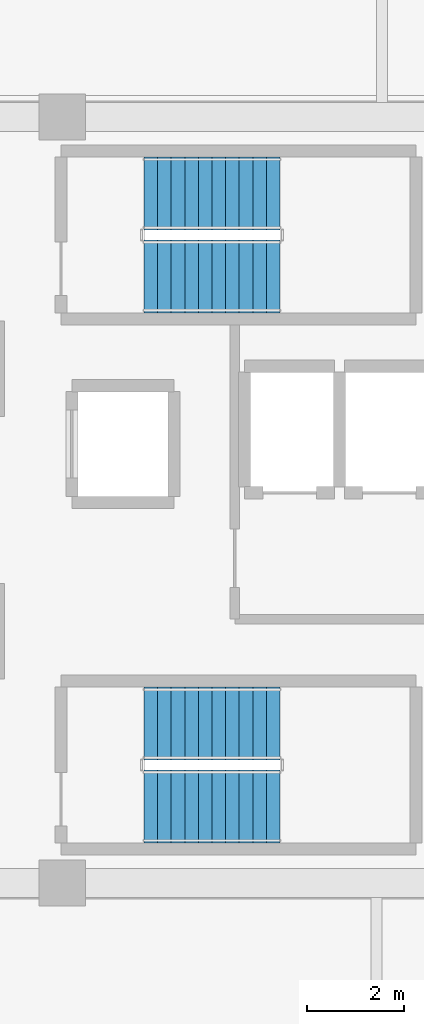
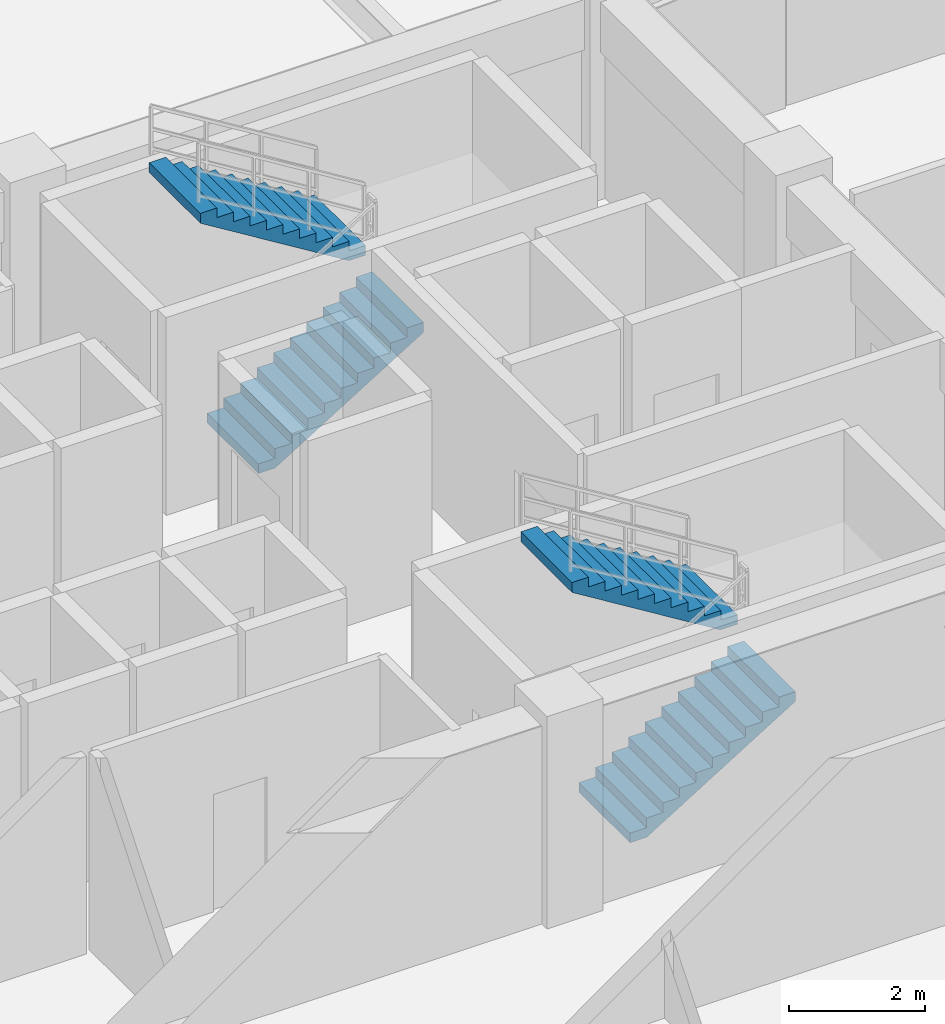
# One storey, part 6 of 9: 4 stair flights, 2 elements without a shape of their own.
"""IFC4 building model written with IfcOpenShell, lengths in metres."""

from ifc_helpers import new_model, si_unit, direction, frame, origin, place, context, subcontext, project, spatial, polyline, outline, extrude, material, type_object, element, aggregate, save


model = new_model("IFC4")

# Units and contexts
model_context = context("Model", 3, precision=1e-05, world=origin(), true_north=direction((0.0, 1.0)))
body_context = subcontext(model_context, "Body", "Model", "MODEL_VIEW")
ifc_project = project(units=[si_unit("LENGTHUNIT", "METRE"), si_unit("AREAUNIT", "SQUARE_METRE"), si_unit("VOLUMEUNIT", "CUBIC_METRE"), si_unit("PLANEANGLEUNIT", "RADIAN"), si_unit("MASSUNIT", "GRAM", prefix="KILO")], contexts=[model_context])

# Site, building, storey
site_placement = place(None, origin())
site = spatial("IfcSite", under=ifc_project, at=site_placement, CompositionType="ELEMENT")
building_placement = place(site_placement, origin())
building = spatial("IfcBuilding", under=site, at=building_placement, Name="Zulverin Broadcast Headquarters", CompositionType="ELEMENT")
storey_placement = place(building_placement, frame((0.0, 0.0, 212.39990234375)))
storey = spatial("IfcBuildingStorey", under=building, at=storey_placement, Name="L54", CompositionType="ELEMENT", Elevation=212.39990234375)

# Stair, stair flights
ifc_material = material(Name="Concrete C40/50", Category="concrete")
stair_type = type_object("IfcStairType", Name="ST-CORE-1500", PredefinedType="HALF_TURN_STAIR", material=ifc_material)
stair_1_placement = place(storey_placement, origin())
stair_1 = element("IfcStair", 1, at=stair_1_placement, inside=storey, type_object=stair_type, Name="L54 Core Exit Stair ST-1", PredefinedType="HALF_TURN_STAIR")
stair_flight_type = type_object("IfcStairFlightType", Name="SF-CORE-1500", PredefinedType="STRAIGHT", material=ifc_material)
stair_flight_1_placement = place(storey_placement, frame((40.1298828125, 29.800048828125, 0.0), z_axis=(0.0, 0.0, 1.0), x_axis=(1.0, 0.0, 0.0)))
stair_flight_1 = element("IfcStairFlight", 2, at=stair_flight_1_placement, type_object=stair_flight_type, Name="ST-1 flight 1", NumberOfRisers=11, NumberOfTreads=10, PredefinedType="STRAIGHT", RiserHeight=0.172727273, TreadLength=0.28, context=body_context, shape_type="SweptSolid", body=[
    extrude(outline(polyline([(0.0, 0.0), (0.0, 0.172607421875), (0.280029296875, 0.172607421875), (0.280029296875, 0.345458984375), (0.56005859375, 0.345458984375), (0.56005859375, 0.51806640625), (0.840087890625, 0.51806640625), (0.840087890625, 0.69091796875), (1.1201171875, 0.69091796875), (1.1201171875, 0.863525390625), (1.39990234375, 0.863525390625), (1.39990234375, 1.036376953125), (1.679931640625, 1.036376953125), (1.679931640625, 1.208984375), (1.9599609375, 1.208984375), (1.9599609375, 1.3818359375), (2.239990234375, 1.3818359375), (2.239990234375, 1.554443359375), (2.52001953125, 1.554443359375), (2.52001953125, 1.727294921875), (2.800048828125, 1.727294921875), (2.800048828125, 1.89990234375), (2.800048828125, 1.551025390625), (0.285400390625, 0.0), (0.0, 0.0)])), frame((0.0, 0.75, 0.0), z_axis=(0.0, -1.0, 0.0), x_axis=(1.0, 0.0, 0.0)), (0.0, 0.0, 1.0), 1.5),
])
stair_flight_2_placement = place(storey_placement, frame((42.929931640625, 31.5, 1.900146484375), z_axis=(0.0, 0.0, 1.0), x_axis=(-1.0, 0.0, 0.0)))
stair_flight_2 = element("IfcStairFlight", 3, at=stair_flight_2_placement, type_object=stair_flight_type, Name="ST-1 flight 2", NumberOfRisers=11, NumberOfTreads=10, PredefinedType="STRAIGHT", RiserHeight=0.172727273, TreadLength=0.28, context=body_context, shape_type="SweptSolid", body=[
    extrude(outline(polyline([(0.0, 0.0), (0.0, 0.172607421875), (0.280029296875, 0.172607421875), (0.280029296875, 0.345458984375), (0.56005859375, 0.345458984375), (0.56005859375, 0.51806640625), (0.840087890625, 0.51806640625), (0.840087890625, 0.69091796875), (1.1201171875, 0.69091796875), (1.1201171875, 0.863525390625), (1.39990234375, 0.863525390625), (1.39990234375, 1.036376953125), (1.679931640625, 1.036376953125), (1.679931640625, 1.208984375), (1.9599609375, 1.208984375), (1.9599609375, 1.3818359375), (2.239990234375, 1.3818359375), (2.239990234375, 1.554443359375), (2.52001953125, 1.554443359375), (2.52001953125, 1.727294921875), (2.800048828125, 1.727294921875), (2.800048828125, 1.89990234375), (2.800048828125, 1.551025390625), (0.285400390625, 0.0), (0.0, 0.0)])), frame((0.0, 0.75, 0.0), z_axis=(0.0, -1.0, 0.0), x_axis=(1.0, 0.0, 0.0)), (0.0, 0.0, 1.0), 1.5),
])
aggregate(stair_1, [stair_flight_1, stair_flight_2])

stair_2_placement = place(storey_placement, origin())
stair_2 = element("IfcStair", 4, at=stair_2_placement, inside=storey, type_object=stair_type, Name="L54 Core Exit Stair ST-2", PredefinedType="HALF_TURN_STAIR")
stair_flight_3_placement = place(storey_placement, frame((40.1298828125, 18.89990234375, 0.0), z_axis=(0.0, 0.0, 1.0), x_axis=(1.0, 0.0, 0.0)))
stair_flight_3 = element("IfcStairFlight", 5, at=stair_flight_3_placement, type_object=stair_flight_type, Name="ST-2 flight 1", NumberOfRisers=11, NumberOfTreads=10, PredefinedType="STRAIGHT", RiserHeight=0.172727273, TreadLength=0.28, context=body_context, shape_type="SweptSolid", body=[
    extrude(outline(polyline([(0.0, 0.0), (0.0, 0.172607421875), (0.280029296875, 0.172607421875), (0.280029296875, 0.345458984375), (0.56005859375, 0.345458984375), (0.56005859375, 0.51806640625), (0.840087890625, 0.51806640625), (0.840087890625, 0.69091796875), (1.1201171875, 0.69091796875), (1.1201171875, 0.863525390625), (1.39990234375, 0.863525390625), (1.39990234375, 1.036376953125), (1.679931640625, 1.036376953125), (1.679931640625, 1.208984375), (1.9599609375, 1.208984375), (1.9599609375, 1.3818359375), (2.239990234375, 1.3818359375), (2.239990234375, 1.554443359375), (2.52001953125, 1.554443359375), (2.52001953125, 1.727294921875), (2.800048828125, 1.727294921875), (2.800048828125, 1.89990234375), (2.800048828125, 1.551025390625), (0.285400390625, 0.0), (0.0, 0.0)])), frame((0.0, 0.75, 0.0), z_axis=(0.0, -1.0, 0.0), x_axis=(1.0, 0.0, 0.0)), (0.0, 0.0, 1.0), 1.5),
])
stair_flight_4_placement = place(storey_placement, frame((42.929931640625, 20.60009765625, 1.900146484375), z_axis=(0.0, 0.0, 1.0), x_axis=(-1.0, 0.0, 0.0)))
stair_flight_4 = element("IfcStairFlight", 6, at=stair_flight_4_placement, type_object=stair_flight_type, Name="ST-2 flight 2", NumberOfRisers=11, NumberOfTreads=10, PredefinedType="STRAIGHT", RiserHeight=0.172727273, TreadLength=0.28, context=body_context, shape_type="SweptSolid", body=[
    extrude(outline(polyline([(0.0, 0.0), (0.0, 0.172607421875), (0.280029296875, 0.172607421875), (0.280029296875, 0.345458984375), (0.56005859375, 0.345458984375), (0.56005859375, 0.51806640625), (0.840087890625, 0.51806640625), (0.840087890625, 0.69091796875), (1.1201171875, 0.69091796875), (1.1201171875, 0.863525390625), (1.39990234375, 0.863525390625), (1.39990234375, 1.036376953125), (1.679931640625, 1.036376953125), (1.679931640625, 1.208984375), (1.9599609375, 1.208984375), (1.9599609375, 1.3818359375), (2.239990234375, 1.3818359375), (2.239990234375, 1.554443359375), (2.52001953125, 1.554443359375), (2.52001953125, 1.727294921875), (2.800048828125, 1.727294921875), (2.800048828125, 1.89990234375), (2.800048828125, 1.551025390625), (0.285400390625, 0.0), (0.0, 0.0)])), frame((0.0, 0.75, 0.0), z_axis=(0.0, -1.0, 0.0), x_axis=(1.0, 0.0, 0.0)), (0.0, 0.0, 1.0), 1.5),
])
aggregate(stair_2, [stair_flight_3, stair_flight_4])

save(model, "model.ifc")
